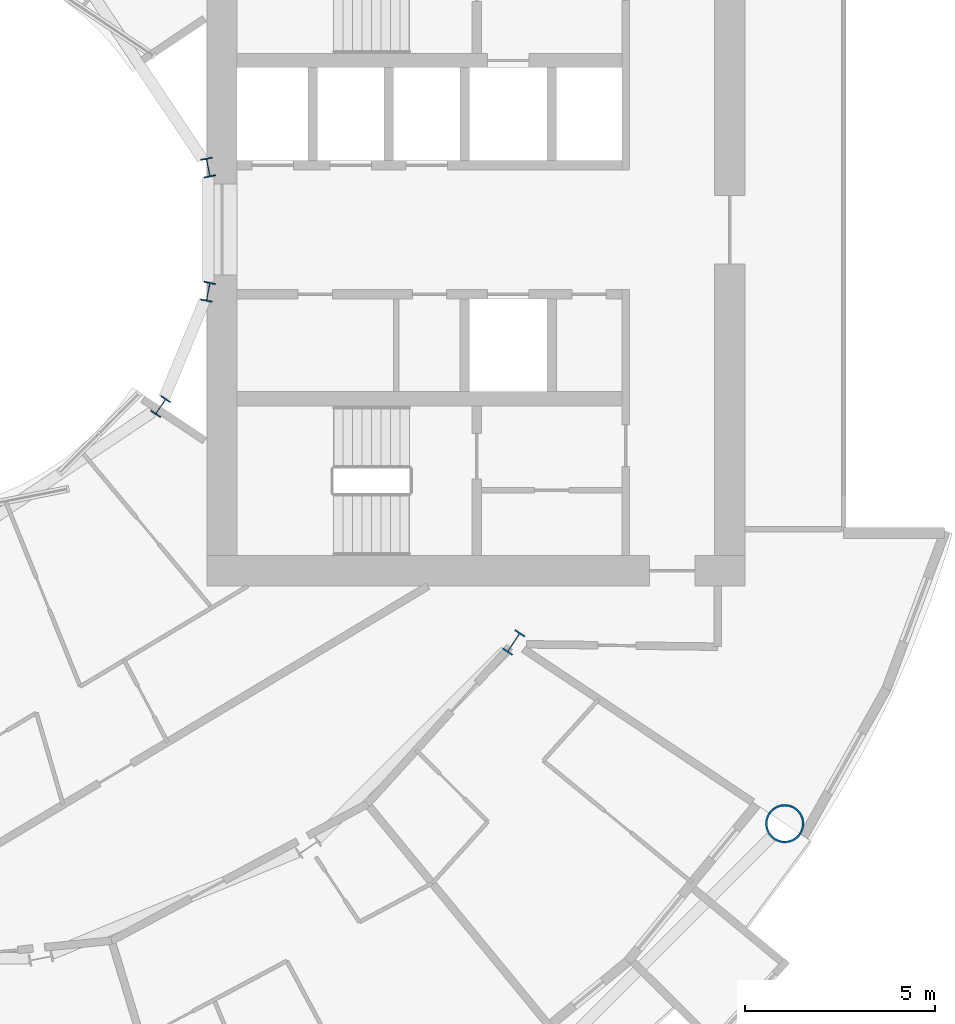
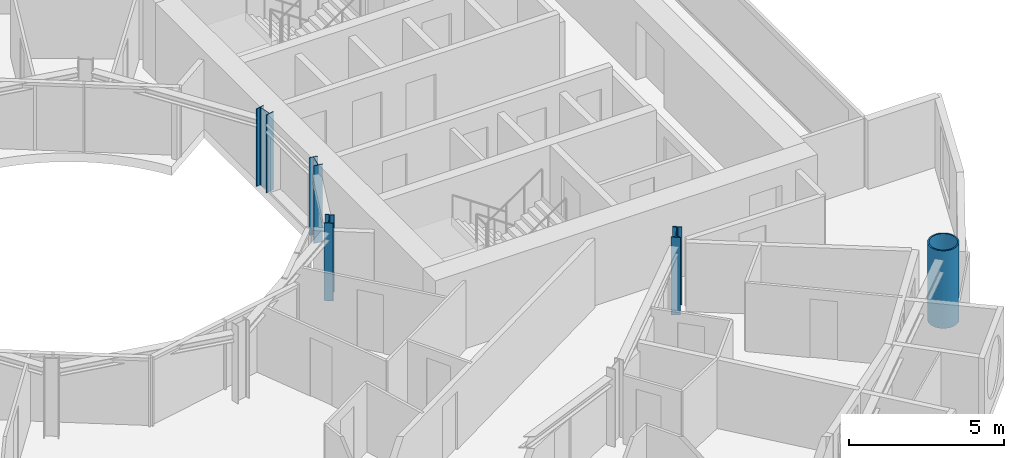
# One storey, part 2 of 26: 5 columns.
"""IFC4 building model written with IfcOpenShell, lengths in metres."""

from ifc_helpers import new_model, si_unit, direction, frame, origin, origin_2d, place, context, subcontext, project, spatial, hollow_circle, i_section, extrude, material, material_profile, profile_set, type_object, element, save


model = new_model("IFC4")

# Units and contexts
model_context = context("Model", 3, precision=1e-05, world=origin(), true_north=direction((0.0, 1.0)))
body_context = subcontext(model_context, "Body", "Model", "MODEL_VIEW")
ifc_project = project(units=[si_unit("LENGTHUNIT", "METRE"), si_unit("AREAUNIT", "SQUARE_METRE"), si_unit("VOLUMEUNIT", "CUBIC_METRE"), si_unit("PLANEANGLEUNIT", "RADIAN"), si_unit("MASSUNIT", "GRAM", prefix="KILO")], contexts=[model_context])

# Site, building, storey
site_placement = place(None, origin())
site = spatial("IfcSite", under=ifc_project, at=site_placement, CompositionType="ELEMENT")
building_placement = place(site_placement, origin())
building = spatial("IfcBuilding", under=site, at=building_placement, Name="Maasbend Ring Residences", CompositionType="ELEMENT")
storey_placement = place(building_placement, frame((0.0, 0.0, 47.199951171875)))
storey = spatial("IfcBuildingStorey", under=building, at=storey_placement, Name="L13", CompositionType="ELEMENT", Elevation=47.199951171875)

# Columns
ifc_material_1 = material(Name="Composite concrete-filled steel tube S460NH / C80/95", Category="concrete")
ifc_material_profile_1 = material_profile(ifc_material_1, hollow_circle(Radius=0.508056640625, WallThickness=0.050048828125, at=origin_2d()), Name="Composite tube column CHS 1016x50")
ifc_profile_set_1 = profile_set([ifc_material_profile_1], Name="Composite concrete-filled steel tube S460NH / C80/95")
column_type_1 = type_object("IfcColumnType", Name="Composite tube column CHS 1016x50", PredefinedType="COLUMN", material=ifc_profile_set_1)
column_1_placement = place(storey_placement, frame((23.447509765625, -15.6669921875, 0.0), z_axis=(0.0, 0.0, 1.0), x_axis=(1.0, 0.0, 0.0)))
element("IfcColumn", 1, at=column_1_placement, inside=storey, type_object=column_type_1, Name="Outer column R15", PredefinedType="COLUMN", context=body_context, shape_type="SweptSolid", body=[
    extrude(hollow_circle(Radius=0.508056640625, WallThickness=0.050048828125, at=origin_2d()), origin(), (0.0, 0.0, 1.0), 3.050048828125),
])
ifc_material_2 = material(Name="Steel S355J2", Category="steel")
ifc_material_profile_2 = material_profile(ifc_material_2, i_section(OverallWidth=0.300048828125, OverallDepth=0.5, WebThickness=0.014404296875, FlangeThickness=0.028076171875, FilletRadius=0.027099609375, at=origin_2d()), Name="HEB 500")
ifc_profile_set_2 = profile_set([ifc_material_profile_2], Name="Steel S355J2")
column_type_2 = type_object("IfcColumnType", Name="Steel column HEB 500", PredefinedType="COLUMN", material=ifc_profile_set_2)
for number, where, z_axis, x_axis, name in (
    (2, (8.238525390625, 1.638916015625, 0.0), (0.0, 0.0, 1.0), (0.980785280403, 0.195090322016, 0.0), "Well ring column R1"),
    (3, (6.984375, -4.666748046875, 0.0), (0.0, 0.0, 1.0), (0.831469612303, -0.55557023302, 0.0), "Well ring column R15"),
    (4, (8.238525390625, -1.638916015625, 0.0), (0.0, 0.0, 1.0), (0.980785280403, -0.195090322016, 0.0), "Well ring column R16"),
):
    element("IfcColumn", number, at=place(storey_placement, frame(where, z_axis=z_axis, x_axis=x_axis)), inside=storey, type_object=column_type_2, Name=name, PredefinedType="COLUMN", context=body_context, shape_type="SweptSolid", body=[
        extrude(i_section(OverallWidth=0.300048828125, OverallDepth=0.5, WebThickness=0.014404296875, FlangeThickness=0.028076171875, FilletRadius=0.027099609375, at=origin_2d()), origin(), (0.0, 0.0, 1.0), 3.050048828125),
    ])
ifc_material_3 = material(Name="Steel S460M", Category="steel")
ifc_material_profile_3 = material_profile(ifc_material_3, i_section(OverallWidth=0.304931640625, OverallDepth=0.6201171875, WebThickness=0.02099609375, FlangeThickness=0.0400390625, FilletRadius=0.027099609375, at=origin_2d()), Name="HEM 600")
ifc_profile_set_3 = profile_set([ifc_material_profile_3], Name="Steel S460M")
column_type_3 = type_object("IfcColumnType", Name="Steel column HEM 600", PredefinedType="COLUMN", material=ifc_profile_set_3)
column_2_placement = place(storey_placement, frame((16.296875, -10.88916015625, 0.0), z_axis=(0.0, 0.0, 1.0), x_axis=(0.831469612303, -0.55557023302, 0.0)))
element("IfcColumn", 5, at=column_2_placement, inside=storey, type_object=column_type_3, Name="Corridor ring column R15", PredefinedType="COLUMN", context=body_context, shape_type="SweptSolid", body=[
    extrude(i_section(OverallWidth=0.304931640625, OverallDepth=0.6201171875, WebThickness=0.02099609375, FlangeThickness=0.0400390625, FilletRadius=0.027099609375, at=origin_2d()), origin(), (0.0, 0.0, 1.0), 3.050048828125),
])

save(model, "model.ifc")
